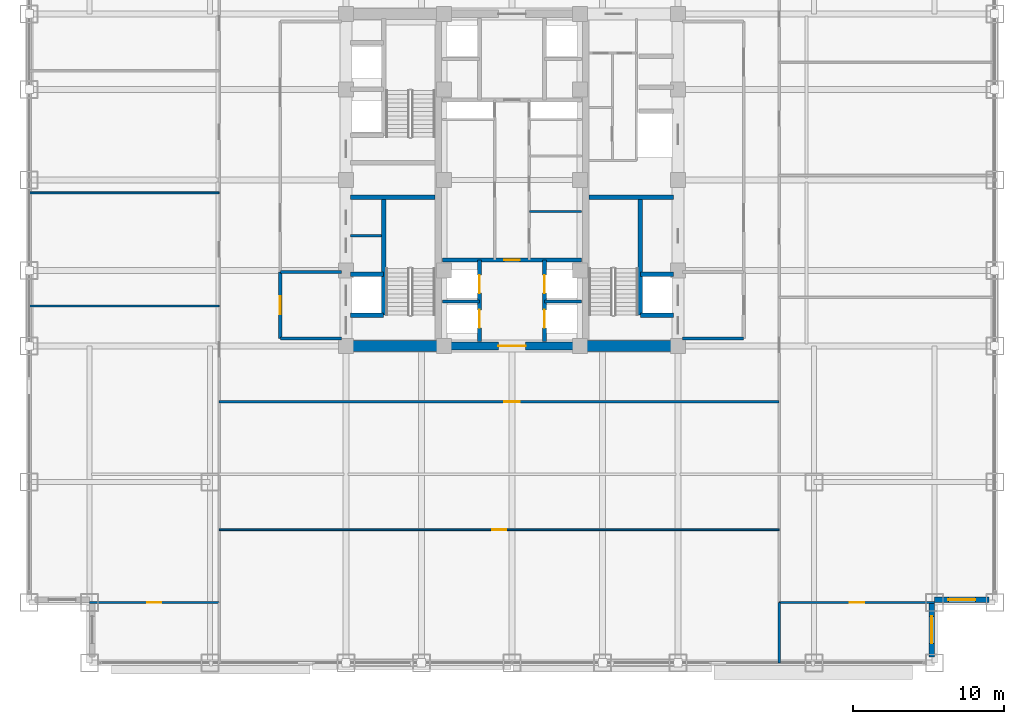
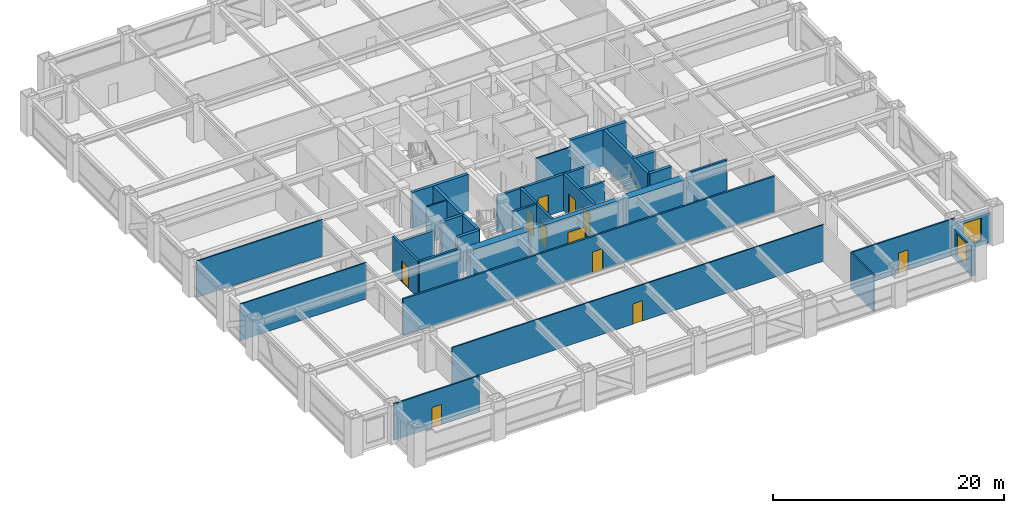
# One storey, part 23 of 32: 31 walls, 11 doors, 2 windows, 13 openings.
"""IFC4 building model written with IfcOpenShell, lengths in metres."""

import ifcopenshell
import ifcopenshell.guid

model = None  # the IFC model being written
_history = None  # IfcOwnerHistory: only IFC2X3 demands one
_inside = {}  # id of a spatial element -> (the spatial element, [elements in it])
_under = {}  # id of a project, library or spatial element -> (it, [spatial elements below it])
_declared = {}  # id of a project -> (the project, [libraries it declares])
_typed = {}  # id of a type object -> (the type object, [elements of that type])
_made_of = {}  # id of a material, layer set ... -> (it, [elements and type objects made of it])


def new_model(schema):
    """Start an empty IFC model of exactly this schema.

    Asked for "IFC4X3", IfcOpenShell would pick the latest addendum, in which some entities
    have other attributes; the version numbers below select the first issue.
    IFC2X3 requires an IfcOwnerHistory on every rooted entity: one is made here for all.
    """
    global model, _history
    if schema == "IFC4X3":
        model = ifcopenshell.file(schema_version=(4, 3, 0, 0))
    else:
        model = ifcopenshell.file(schema=schema)
    _inside.clear()
    _under.clear()
    _declared.clear()
    _typed.clear()
    _made_of.clear()
    _history = None
    if model.schema == "IFC2X3":
        org = make("IfcOrganization", Name="unknown")
        user = make(
            "IfcPersonAndOrganization",
            ThePerson=make("IfcPerson", FamilyName="unknown"),
            TheOrganization=org,
        )
        app = make(
            "IfcApplication",
            ApplicationDeveloper=org,
            Version="unknown",
            ApplicationFullName="unknown",
            ApplicationIdentifier="unknown",
        )
        _history = make(
            "IfcOwnerHistory",
            OwningUser=user,
            OwningApplication=app,
            ChangeAction="ADDED",
            CreationDate=0,
        )
    return model


def make(cls, **values):
    """One entity of the class cls with the attributes given. An attribute that is None is left unset."""
    return model.create_entity(
        cls, **{name: value for name, value in values.items() if value is not None}
    )


def rooted(cls, **values):
    """An entity with a GlobalId (a new one), such as an element, a storey or a relation."""
    return make(cls, GlobalId=ifcopenshell.guid.new(), OwnerHistory=_history, **values)


def si_unit(unit_type, name, prefix=None):
    """IfcSIUnit, for example si_unit("LENGTHUNIT", "METRE", prefix="MILLI")."""
    return make("IfcSIUnit", UnitType=unit_type, Prefix=prefix, Name=name)


def assignment(units):
    """IfcUnitAssignment: the units of a project."""
    return None if units is None else make("IfcUnitAssignment", Units=units)


def point(xyz):
    """IfcCartesianPoint."""
    return None if xyz is None else make("IfcCartesianPoint", Coordinates=xyz)


def direction(xyz):
    """IfcDirection."""
    return None if xyz is None else make("IfcDirection", DirectionRatios=xyz)


def frame(location, z_axis=None, x_axis=None):
    """IfcAxis2Placement3D, a coordinate frame: its origin and axes. An axis left out is left unset."""
    return make(
        "IfcAxis2Placement3D",
        Location=point(location),
        Axis=direction(z_axis),
        RefDirection=direction(x_axis),
    )


def frame_2d(location, x_axis=None):
    """IfcAxis2Placement2D, a coordinate frame in the plane: its origin and x axis."""
    return make(
        "IfcAxis2Placement2D", Location=point(location), RefDirection=direction(x_axis)
    )


def origin():
    """The frame at (0, 0, 0) with its axes left unset."""
    return frame((0.0, 0.0, 0.0))


def place(relative_to, where):
    """IfcLocalPlacement: puts the frame where relative to a parent placement (None: the world)."""
    return make(
        "IfcLocalPlacement", PlacementRelTo=relative_to, RelativePlacement=where
    )


def context(
    kind, dimensions, precision=None, world=None, true_north=None, identifier=None
):
    """IfcGeometricRepresentationContext, for example the 3D "Model" context."""
    return make(
        "IfcGeometricRepresentationContext",
        ContextIdentifier=identifier,
        ContextType=kind,
        CoordinateSpaceDimension=dimensions,
        Precision=precision,
        WorldCoordinateSystem=world,
        TrueNorth=true_north,
    )


def subcontext(parent, identifier, kind, view, scale=None):
    """IfcGeometricRepresentationSubContext, for example "Body" below "Model"."""
    return make(
        "IfcGeometricRepresentationSubContext",
        ContextIdentifier=identifier,
        ContextType=kind,
        ParentContext=parent,
        TargetScale=scale,
        TargetView=view,
    )


def project(units=None, contexts=None):
    """IfcProject with its units and contexts."""
    return rooted(
        "IfcProject",
        Name="project",
        RepresentationContexts=contexts,
        UnitsInContext=assignment(units),
    )


def spatial(cls, under=None, at=None, **own):
    """A site, building, storey or space (cls), placed at a placement, below another one or the project."""
    s = rooted(cls, ObjectPlacement=at, **own)
    if under is not None:
        _under.setdefault(under.id(), (under, []))[1].append(s)
    return s


def profile(cls, at=None, kind="AREA", **sizes):
    """A parametric profile (cls). Its sizes go by their IFC names, for example OverallWidth=200.0."""
    return make(cls, ProfileType=kind, Position=at, **sizes)


def rectangle(**sizes):
    """IfcRectangleProfileDef."""
    return profile("IfcRectangleProfileDef", **sizes)


def extrude(swept, where, along, depth):
    """IfcExtrudedAreaSolid: the profile swept, set in the frame where, extruded along a direction by depth."""
    return make(
        "IfcExtrudedAreaSolid",
        SweptArea=swept,
        Position=where,
        ExtrudedDirection=direction(along),
        Depth=depth,
    )


def shape(context_of_items, identifier, shape_type, items):
    """IfcShapeRepresentation: the items that make up one representation, for example the "Body"."""
    return make(
        "IfcShapeRepresentation",
        ContextOfItems=context_of_items,
        RepresentationIdentifier=identifier,
        RepresentationType=shape_type,
        Items=items,
    )


def source(mapping_origin, context_of_items, identifier, shape_type, items):
    """IfcRepresentationMap: a shape defined once, which mapped items show again and again."""
    return make(
        "IfcRepresentationMap",
        MappingOrigin=mapping_origin,
        MappedRepresentation=shape(context_of_items, identifier, shape_type, items),
    )


def transform(
    local_origin,
    x_axis=None,
    y_axis=None,
    z_axis=None,
    scale=None,
    scale2=None,
    scale3=None,
    uniform=True,
):
    """IfcCartesianTransformationOperator3D, or its non-uniform kind. x_axis, y_axis, z_axis: its Axis1, 2, 3."""
    if uniform:
        return make(
            "IfcCartesianTransformationOperator3D",
            Axis1=direction(x_axis),
            Axis2=direction(y_axis),
            LocalOrigin=point(local_origin),
            Scale=scale,
            Axis3=direction(z_axis),
        )
    return make(
        "IfcCartesianTransformationOperator3DnonUniform",
        Axis1=direction(x_axis),
        Axis2=direction(y_axis),
        LocalOrigin=point(local_origin),
        Scale=scale,
        Axis3=direction(z_axis),
        Scale2=scale2,
        Scale3=scale3,
    )


def mapped(mapping_source, mapping_target):
    """IfcMappedItem: shows the shape of a source again, moved by a transform."""
    return make(
        "IfcMappedItem", MappingSource=mapping_source, MappingTarget=mapping_target
    )


def material(Name=None, Category=None):
    """IfcMaterial."""
    return make("IfcMaterial", Name=Name, Category=Category)


def layer(
    of_material, thickness, ventilated=None, Name=None, Category=None, Priority=None
):
    """IfcMaterialLayer: one layer of a wall or slab, of a material (None: an air gap)."""
    return make(
        "IfcMaterialLayer",
        Material=of_material,
        LayerThickness=thickness,
        IsVentilated=ventilated,
        Name=Name,
        Category=Category,
        Priority=Priority,
    )


def layer_set(layers, Name=None):
    """IfcMaterialLayerSet."""
    return make("IfcMaterialLayerSet", MaterialLayers=layers, LayerSetName=Name)


def made_of(thing, what):
    """Note that an element or type object is made of a material, layer set ...; save() writes the relation."""
    if what is not None:
        _made_of.setdefault(what.id(), (what, []))[1].append(thing)
    return thing


def type_object(cls, material=None, **own):
    """A type object (cls), such as IfcWallType, which elements share."""
    return made_of(rooted(cls, **own), material)


def element(
    cls,
    number,
    at=None,
    inside=None,
    cuts=None,
    type_object=None,
    material=None,
    context=None,
    identifier="Body",
    shape_type=None,
    held_by="IfcProductDefinitionShape",
    body=None,
    shapes=None,
    **own,
):
    """One element of the class cls, such as IfcWall. Its Tag is "e" and its number.

    at: its placement. inside: the storey or other place that contains it. cuts: it is an
    opening in that element (IfcRelVoidsElement). A single representation is given by context,
    identifier, shape_type and body (its items); several are given by shapes. held_by: the class
    of the entity that holds the representations. save() writes the other relations.
    """
    e = rooted(cls, Tag="e%d" % number, ObjectPlacement=at, **own)
    if body is not None:
        shapes = [shape(context, identifier, shape_type, body)]
    if shapes is not None:
        e.Representation = make(held_by, Representations=shapes)
    if inside is not None:
        _inside.setdefault(inside.id(), (inside, []))[1].append(e)
    if cuts is not None:
        rooted(
            "IfcRelVoidsElement", RelatingBuildingElement=cuts, RelatedOpeningElement=e
        )
    if type_object is not None:
        _typed.setdefault(type_object.id(), (type_object, []))[1].append(e)
    return made_of(e, material)


def fill(opening, filler):
    """IfcRelFillsElement: the door or window that sits in an opening."""
    return rooted(
        "IfcRelFillsElement",
        RelatingOpeningElement=opening,
        RelatedBuildingElement=filler,
    )


def aggregate(whole, parts):
    """IfcRelAggregates: a whole, such as a stair, and the parts it consists of."""
    return rooted("IfcRelAggregates", RelatingObject=whole, RelatedObjects=parts)


def save(model, path):
    """Write the relations noted so far, then the file.

    IfcRelAggregates (storeys below a building ...), IfcRelContainedInSpatialStructure (elements
    in a storey), IfcRelDefinesByType, IfcRelAssociatesMaterial and IfcRelDeclares: one each for
    every whole, place, type object, material and project.
    """
    for whole, parts in _under.values():
        aggregate(whole, parts)
    for where, things in _inside.values():
        rooted(
            "IfcRelContainedInSpatialStructure",
            RelatedElements=things,
            RelatingStructure=where,
        )
    for kind, things in _typed.values():
        rooted("IfcRelDefinesByType", RelatedObjects=things, RelatingType=kind)
    for what, things in _made_of.values():
        rooted("IfcRelAssociatesMaterial", RelatedObjects=things, RelatingMaterial=what)
    for by, libraries in _declared.values():
        rooted("IfcRelDeclares", RelatingContext=by, RelatedDefinitions=libraries)
    model.write(path)


model = new_model("IFC4")

# Units and contexts
model_context = context("Model", 3, precision=1e-05, world=origin(), true_north=direction((0.0, 1.0)))
body_context = subcontext(model_context, "Body", "Model", "MODEL_VIEW")
ifc_project = project(units=[si_unit("LENGTHUNIT", "METRE"), si_unit("AREAUNIT", "SQUARE_METRE"), si_unit("VOLUMEUNIT", "CUBIC_METRE"), si_unit("PLANEANGLEUNIT", "RADIAN"), si_unit("MASSUNIT", "GRAM", prefix="KILO")], contexts=[model_context])

# Site, building, storey
site_placement = place(None, origin())
site = spatial("IfcSite", under=ifc_project, at=site_placement, CompositionType="ELEMENT")
building_placement = place(site_placement, origin())
building = spatial("IfcBuilding", under=site, at=building_placement, Name="Khorayat Bourse Tower", CompositionType="ELEMENT")
storey_placement = place(building_placement, frame((0.0, 0.0, 91.39990234375)))
storey = spatial("IfcBuildingStorey", under=building, at=storey_placement, Name="L20", CompositionType="ELEMENT", Elevation=91.39990234375)

# Walls
ifc_material_1 = material(Name="Concrete C72/90", Category="concrete")
ifc_layer_1 = layer(ifc_material_1, 0.75)
ifc_layer_set_1 = layer_set([ifc_layer_1], Name="Concrete C72/90")
wall_type_1 = type_object("IfcWallType", Name="WAL-CORE-750", PredefinedType="SHEAR", material=ifc_layer_set_1)
shared_shape_1 = source(origin(), body_context, "Body", "SweptSolid", [
    extrude(rectangle(XDim=5.849853515625, YDim=0.75, at=frame_2d((2.9248046875, 0.0))), origin(), (0.0, 0.0, 1.0), 3.840087890625),
])
for number, where, z_axis, x_axis, name in (
    (1, (-10.699951171875, -11.0, 0.0), (0.0, 0.0, 1.0), (1.0, 0.0, 0.0), "L20 Core Shear Wall PIER-WS"),
    (2, (4.85009765625, -11.0, 0.0), (0.0, 0.0, 1.0), (1.0, 0.0, 0.0), "L20 Core Shear Wall PIER-ES"),
):
    element("IfcWall", number, at=place(storey_placement, frame(where, z_axis=z_axis, x_axis=x_axis)), inside=storey, type_object=wall_type_1, Name=name, PredefinedType="SHEAR", context=body_context, shape_type="MappedRepresentation", body=[
        mapped(shared_shape_1, transform((0.0, 0.0, 0.0), scale=1.0)),
    ])
ifc_material_2 = material(Name="Concrete C50/60", Category="concrete")
ifc_layer_2 = layer(ifc_material_2, 0.300048828125)
ifc_layer_set_2 = layer_set([ifc_layer_2], Name="Concrete C50/60")
wall_type_2 = type_object("IfcWallType", Name="WAL-SHAFT-300", PredefinedType="SHEAR", material=ifc_layer_set_2)
shared_shape_2 = source(origin(), body_context, "Body", "SweptSolid", [
    extrude(rectangle(XDim=5.599853515625, YDim=0.300048828125, at=frame_2d((2.7998046875, 0.0))), origin(), (0.0, 0.0, 1.0), 3.840087890625),
])
for number, where, z_axis, x_axis, name in (
    (3, (-10.699951171875, -1.14990234375, 0.0), (0.0, 0.0, 1.0), (1.0, 0.0, 0.0), "L20 Core Shear Wall ST1-DIV"),
    (4, (5.10009765625, -1.14990234375, 0.0), (0.0, 0.0, 1.0), (1.0, 0.0, 0.0), "L20 Core Shear Wall ST3-DIV"),
):
    element("IfcWall", number, at=place(storey_placement, frame(where, z_axis=z_axis, x_axis=x_axis)), inside=storey, type_object=wall_type_2, Name=name, PredefinedType="SHEAR", context=body_context, shape_type="MappedRepresentation", body=[
        mapped(shared_shape_2, transform((0.0, 0.0, 0.0), scale=1.0)),
    ])

# Wall, opening, door
ifc_material_3 = material(Name="Concrete C52/65", Category="concrete")
ifc_layer_3 = layer(ifc_material_3, 0.5)
ifc_layer_set_3 = layer_set([ifc_layer_3], Name="Concrete C52/65")
wall_type_3 = type_object("IfcWallType", Name="WAL-CORE-500", PredefinedType="SHEAR", material=ifc_layer_set_3)
shared_shape_3 = source(origin(), body_context, "Body", "SweptSolid", [
    extrude(rectangle(XDim=9.2001953125, YDim=0.5, at=frame_2d((4.60009765625, 0.0))), origin(), (0.0, 0.0, 1.0), 3.840087890625),
])
wall_1_placement = place(storey_placement, frame((-4.60009765625, -11.0, 0.0), z_axis=(0.0, 0.0, 1.0), x_axis=(1.0, 0.0, 0.0)))
wall_1 = element("IfcWall", 5, at=wall_1_placement, inside=storey, type_object=wall_type_3, Name="L20 Core Shear Wall CORE-S", PredefinedType="SHEAR", context=body_context, shape_type="MappedRepresentation", body=[
    mapped(shared_shape_3, transform((0.0, 0.0, 0.0), scale=1.0)),
])
shared_shape_4 = source(origin(), body_context, "Body", "SweptSolid", [
    extrude(rectangle(XDim=1.800048828125, YDim=2.25, at=frame_2d((0.89990234375, 1.125))), frame((0.0, 0.260009765625, 0.0), z_axis=(0.0, -1.0, 0.0), x_axis=(1.0, 0.0, 0.0)), (0.0, 0.0, 1.0), 0.52001953125),
])
opening_1_placement = place(wall_1_placement, frame((3.699951171875, 0.0, 0.0)))
opening_1 = element("IfcOpeningElement", 6, at=opening_1_placement, cuts=wall_1, Name="Opening DI-03", PredefinedType="OPENING", context=body_context, shape_type="MappedRepresentation", body=[
    mapped(shared_shape_4, transform((0.0, 0.0, 0.0), scale=1.0)),
])
ifc_material_4 = material(Name="Fire-rated hardwood vision-panel double leaf", Category="wood")
door_type_1 = type_object("IfcDoorType", Name="DR-INT-CORR-1800", OperationType="NOTDEFINED", PredefinedType="DOOR", material=ifc_material_4)
shared_shape_5 = source(origin(), body_context, "Body", "SweptSolid", [
    extrude(rectangle(XDim=1.800048828125, YDim=2.25, at=frame_2d((0.89990234375, 1.125))), frame((0.0, 0.02490234375, 0.0), z_axis=(0.0, -1.0, 0.0), x_axis=(1.0, 0.0, 0.0)), (0.0, 0.0, 1.0), 0.050048828125),
])
door_1_placement = place(opening_1_placement, origin())
door_1 = element("IfcDoor", 7, at=door_1_placement, inside=storey, type_object=door_type_1, Name="L20 Low-Rise Lift Lobby Door", OperationType="SINGLE_SWING_LEFT", OverallHeight=2.25, OverallWidth=1.800048828125, PredefinedType="DOOR", context=body_context, shape_type="MappedRepresentation", body=[
    mapped(shared_shape_5, transform((0.0, 0.0, 0.0), scale=1.0)),
])
fill(opening_1, door_1)

# Wall, opening, window
ifc_material_5 = material(Name="Precast concrete C45/55", Category="concrete")
ifc_layer_4 = layer(ifc_material_5, 0.3798828125)
ifc_layer_set_4 = layer_set([ifc_layer_4], Name="Precast concrete C45/55")
wall_type_4 = type_object("IfcWallType", Name="WAL-EXT-STONE-380", PredefinedType="STANDARD", material=ifc_layer_set_4)
shared_shape_6 = source(origin(), body_context, "Body", "SweptSolid", [
    extrude(rectangle(XDim=3.6201171875, YDim=0.3798828125, at=frame_2d((1.81005859375, 0.0))), origin(), (0.0, 0.0, 1.0), 3.14501953125),
])
wall_2_placement = place(storey_placement, frame((27.81005859375, -31.6201171875, 0.0), z_axis=(0.0, 0.0, 1.0), x_axis=(0.0, 1.0, 0.0)))
wall_2 = element("IfcWall", 8, at=wall_2_placement, inside=storey, type_object=wall_type_4, Name="L20 Re-Entrant Notch Limestone Wall SE-V", PredefinedType="STANDARD", context=body_context, shape_type="MappedRepresentation", body=[
    mapped(shared_shape_6, transform((0.0, 0.0, 0.0), scale=1.0)),
])
shared_shape_7 = source(origin(), body_context, "Body", "SweptSolid", [
    extrude(rectangle(XDim=1.800048828125, YDim=2.39990234375, at=frame_2d((0.89990234375, 1.199951171875))), frame((0.0, 0.199951171875, 0.0), z_axis=(0.0, -1.0, 0.0), x_axis=(1.0, 0.0, 0.0)), (0.0, 0.0, 1.0), 0.39990234375),
])
opening_2_placement = place(wall_2_placement, frame((0.909912109375, 0.0, 0.5)))
opening_2 = element("IfcOpeningElement", 9, at=opening_2_placement, cuts=wall_2, Name="Opening WN-04", PredefinedType="OPENING", context=body_context, shape_type="MappedRepresentation", body=[
    mapped(shared_shape_7, transform((0.0, 0.0, 0.0), scale=1.0)),
])
ifc_material_6 = material(Name="Low-E acoustic laminated double glazing", Category="glass")
window_type = type_object("IfcWindowType", Name="WIN-NOTCH-1800x2400", PartitioningType="SINGLE_PANEL", PredefinedType="WINDOW", material=ifc_material_6)
shared_shape_8 = source(origin(), body_context, "Body", "SweptSolid", [
    extrude(rectangle(XDim=1.800048828125, YDim=2.39990234375, at=frame_2d((0.89990234375, 1.199951171875))), frame((0.0, 0.030029296875, 0.0), z_axis=(0.0, -1.0, 0.0), x_axis=(1.0, 0.0, 0.0)), (0.0, 0.0, 1.0), 0.06005859375),
])
window_1_placement = place(opening_2_placement, origin())
window_1 = element("IfcWindow", 10, at=window_1_placement, inside=storey, type_object=window_type, Name="L20 Facade Window 1", OverallHeight=2.39990234375, OverallWidth=1.800048828125, PartitioningType="SINGLE_PANEL", PredefinedType="WINDOW", context=body_context, shape_type="MappedRepresentation", body=[
    mapped(shared_shape_8, transform((0.0, 0.0, 0.0), scale=1.0)),
])
fill(opening_2, window_1)

wall_3_placement = place(storey_placement, frame((28.0, -27.81005859375, 0.0), z_axis=(0.0, 0.0, 1.0), x_axis=(1.0, 0.0, 0.0)))
wall_3 = element("IfcWall", 11, at=wall_3_placement, inside=storey, type_object=wall_type_4, Name="L20 Re-Entrant Notch Limestone Wall SE-H", PredefinedType="STANDARD", context=body_context, shape_type="MappedRepresentation", body=[
    mapped(shared_shape_6, transform((0.0, 0.0, 0.0), scale=1.0)),
])
opening_3_placement = place(wall_3_placement, frame((0.909912109375, 0.0, 0.5)))
opening_3 = element("IfcOpeningElement", 12, at=opening_3_placement, cuts=wall_3, Name="Opening WN-04", PredefinedType="OPENING", context=body_context, shape_type="MappedRepresentation", body=[
    mapped(shared_shape_7, transform((0.0, 0.0, 0.0), scale=1.0)),
])
window_2_placement = place(opening_3_placement, origin())
window_2 = element("IfcWindow", 13, at=window_2_placement, inside=storey, type_object=window_type, Name="L20 Facade Window 1", OverallHeight=2.39990234375, OverallWidth=1.800048828125, PartitioningType="SINGLE_PANEL", PredefinedType="WINDOW", context=body_context, shape_type="MappedRepresentation", body=[
    mapped(shared_shape_8, transform((0.0, 0.0, 0.0), scale=1.0)),
])
fill(opening_3, window_2)

# Walls
shared_shape_9 = source(origin(), body_context, "Body", "SweptSolid", [
    extrude(rectangle(XDim=7.800048828125, YDim=0.300048828125, at=frame_2d((3.89990234375, 0.0))), origin(), (0.0, 0.0, 1.0), 3.840087890625),
])
for number, where, z_axis, x_axis, name in (
    (14, (-8.5, -8.949951171875, 0.0), (0.0, 0.0, 1.0), (0.0, 1.0, 0.0), "L20 Partition WAL-L20-WPIER-SP"),
    (15, (8.5, -8.949951171875, 0.0), (0.0, 0.0, 1.0), (0.0, 1.0, 0.0), "L20 Partition WAL-L20-EPIER-SP"),
):
    element("IfcWall", number, at=place(storey_placement, frame(where, z_axis=z_axis, x_axis=x_axis)), inside=storey, type_object=wall_type_2, Name=name, PredefinedType="SHEAR", context=body_context, shape_type="MappedRepresentation", body=[
        mapped(shared_shape_9, transform((0.0, 0.0, 0.0), scale=1.0)),
    ])
shared_shape_10 = source(origin(), body_context, "Body", "SweptSolid", [
    extrude(rectangle(XDim=2.199951171875, YDim=0.300048828125, at=frame_2d((1.10009765625, 0.0))), origin(), (0.0, 0.0, 1.0), 3.840087890625),
])
for number, where, z_axis, x_axis, name in (
    (16, (-10.699951171875, -8.949951171875, 0.0), (0.0, 0.0, 1.0), (1.0, 0.0, 0.0), "L20 Partition WAL-L20-WPIER-FF1S"),
    (17, (-10.699951171875, -6.25, 0.0), (0.0, 0.0, 1.0), (1.0, 0.0, 0.0), "L20 Partition WAL-L20-WPIER-FF1N"),
    (18, (8.5, -8.949951171875, 0.0), (0.0, 0.0, 1.0), (1.0, 0.0, 0.0), "L20 Partition WAL-L20-EPIER-FF2S"),
    (19, (8.5, -6.25, 0.0), (0.0, 0.0, 1.0), (1.0, 0.0, 0.0), "L20 Partition WAL-L20-EPIER-FF2N"),
):
    element("IfcWall", number, at=place(storey_placement, frame(where, z_axis=z_axis, x_axis=x_axis)), inside=storey, type_object=wall_type_2, Name=name, PredefinedType="SHEAR", context=body_context, shape_type="MappedRepresentation", body=[
        mapped(shared_shape_10, transform((0.0, 0.0, 0.0), scale=1.0)),
    ])
ifc_material_7 = material(Name="Gypsum plasterboard twin-frame partition")
ifc_layer_5 = layer(ifc_material_7, 0.14990234375)
ifc_layer_set_5 = layer_set([ifc_layer_5], Name="Gypsum plasterboard twin-frame partition")
wall_type_5 = type_object("IfcWallType", Name="WAL-PART-SUITE-150", PredefinedType="PARTITIONING", material=ifc_layer_set_5)
shared_shape_11 = source(origin(), body_context, "Body", "SweptSolid", [
    extrude(rectangle(XDim=2.050048828125, YDim=0.14990234375, at=frame_2d((1.02490234375, 0.0))), origin(), (0.0, 0.0, 1.0), 3.840087890625),
])
wall_4_placement = place(storey_placement, frame((-10.699951171875, -3.699951171875, 0.0), z_axis=(0.0, 0.0, 1.0), x_axis=(1.0, 0.0, 0.0)))
element("IfcWall", 20, at=wall_4_placement, inside=storey, type_object=wall_type_5, Name="L20 Partition WAL-L20-WSRV-D1", PredefinedType="PARTITIONING", context=body_context, shape_type="MappedRepresentation", body=[
    mapped(shared_shape_11, transform((0.0, 0.0, 0.0), scale=1.0)),
])
ifc_material_8 = material(Name="Aerated concrete blockwork", Category="masonry")
ifc_layer_6 = layer(ifc_material_8, 0.219970703125)
ifc_layer_set_6 = layer_set([ifc_layer_6], Name="Aerated concrete blockwork")
wall_type_6 = type_object("IfcWallType", Name="WAL-PART-FF-220", PredefinedType="PARTITIONING", material=ifc_layer_set_6)
shared_shape_12 = source(origin(), body_context, "Body", "SweptSolid", [
    extrude(rectangle(XDim=4.050048828125, YDim=0.219970703125, at=frame_2d((2.02490234375, 0.0))), origin(), (0.0, 0.0, 1.0), 3.840087890625),
])
for number, where, z_axis, x_axis, name in (
    (21, (-15.35009765625, -10.5, 0.0), (0.0, 0.0, 1.0), (1.0, 0.0, 0.0), "L20 Partition WAL-L20-FFLW-S"),
    (22, (11.300048828125, -10.5, 0.0), (0.0, 0.0, 1.0), (1.0, 0.0, 0.0), "L20 Partition WAL-L20-FFLE-S"),
):
    element("IfcWall", number, at=place(storey_placement, frame(where, z_axis=z_axis, x_axis=x_axis)), inside=storey, type_object=wall_type_6, Name=name, PredefinedType="PARTITIONING", context=body_context, shape_type="MappedRepresentation", body=[
        mapped(shared_shape_12, transform((0.0, 0.0, 0.0), scale=1.0)),
    ])
shared_shape_13 = source(origin(), body_context, "Body", "SweptSolid", [
    extrude(rectangle(XDim=4.050048828125, YDim=0.219970703125, at=frame_2d((2.02490234375, 0.0))), origin(), (0.0, 0.0, 1.0), 3.067138671875),
])
wall_5_placement = place(storey_placement, frame((-15.35009765625, -6.10009765625, 0.0), z_axis=(0.0, 0.0, 1.0), x_axis=(1.0, 0.0, 0.0)))
element("IfcWall", 23, at=wall_5_placement, inside=storey, type_object=wall_type_6, Name="L20 Partition WAL-L20-FFLW-N", PredefinedType="PARTITIONING", context=body_context, shape_type="MappedRepresentation", body=[
    mapped(shared_shape_13, transform((0.0, 0.0, 0.0), scale=1.0)),
])

# Wall, opening, door
shared_shape_14 = source(origin(), body_context, "Body", "SweptSolid", [
    extrude(rectangle(XDim=4.39990234375, YDim=0.219970703125, at=frame_2d((2.199951171875, 0.0))), origin(), (0.0, 0.0, 1.0), 3.840087890625),
])
wall_6_placement = place(storey_placement, frame((-15.35009765625, -10.5, 0.0), z_axis=(0.0, 0.0, 1.0), x_axis=(0.0, 1.0, 0.0)))
wall_6 = element("IfcWall", 24, at=wall_6_placement, inside=storey, type_object=wall_type_6, Name="L20 Partition WAL-L20-FFLW-W", PredefinedType="PARTITIONING", context=body_context, shape_type="MappedRepresentation", body=[
    mapped(shared_shape_14, transform((0.0, 0.0, 0.0), scale=1.0)),
])
shared_shape_15 = source(origin(), body_context, "Body", "SweptSolid", [
    extrude(rectangle(XDim=1.199951171875, YDim=2.199951171875, at=frame_2d((0.60009765625, 1.10009765625))), frame((0.0, 0.119873046875, 0.0), z_axis=(0.0, -1.0, 0.0), x_axis=(1.0, 0.0, 0.0)), (0.0, 0.0, 1.0), 0.239990234375),
])
opening_4_placement = place(wall_6_placement, frame((1.60009765625, 0.0, 0.0)))
opening_4 = element("IfcOpeningElement", 25, at=opening_4_placement, cuts=wall_6, Name="Opening DI-02", PredefinedType="OPENING", context=body_context, shape_type="MappedRepresentation", body=[
    mapped(shared_shape_15, transform((0.0, 0.0, 0.0), scale=1.0)),
])
ifc_material_9 = material(Name="Fire-rated steel double-seal leaf", Category="steel")
door_type_2 = type_object("IfcDoorType", Name="DR-INT-FFLOBBY-1200", OperationType="NOTDEFINED", PredefinedType="DOOR", material=ifc_material_9)
shared_shape_16 = source(origin(), body_context, "Body", "SweptSolid", [
    extrude(rectangle(XDim=1.199951171875, YDim=2.199951171875, at=frame_2d((0.60009765625, 1.10009765625))), frame((0.0, 0.02490234375, 0.0), z_axis=(0.0, -1.0, 0.0), x_axis=(1.0, 0.0, 0.0)), (0.0, 0.0, 1.0), 0.050048828125),
])
door_2_placement = place(opening_4_placement, origin())
door_2 = element("IfcDoor", 26, at=door_2_placement, inside=storey, type_object=door_type_2, Name="L20 West Firefighting Lobby Door", OperationType="SINGLE_SWING_LEFT", OverallHeight=2.199951171875, OverallWidth=1.199951171875, PredefinedType="DOOR", context=body_context, shape_type="MappedRepresentation", body=[
    mapped(shared_shape_16, transform((0.0, 0.0, 0.0), scale=1.0)),
])
fill(opening_4, door_2)

# Wall, openings, doors
shared_shape_17 = source(origin(), body_context, "Body", "SweptSolid", [
    extrude(rectangle(XDim=5.39990234375, YDim=0.25, at=frame_2d((2.699951171875, 0.0))), origin(), (0.0, 0.0, 1.0), 3.840087890625),
])
wall_7_placement = place(storey_placement, frame((-2.14990234375, -10.699951171875, 0.0), z_axis=(0.0, 0.0, 1.0), x_axis=(0.0, 1.0, 0.0)))
wall_7 = element("IfcWall", 27, at=wall_7_placement, inside=storey, type_object=wall_type_2, Name="L20 Partition WAL-L20-B1-W", PredefinedType="SHEAR", context=body_context, shape_type="MappedRepresentation", body=[
    mapped(shared_shape_17, transform((0.0, 0.0, 0.0), scale=1.0)),
])
shared_shape_18 = source(origin(), body_context, "Body", "SweptSolid", [
    extrude(rectangle(XDim=1.199951171875, YDim=2.300048828125, at=frame_2d((0.60009765625, 1.14990234375))), frame((0.0, 0.135009765625, 0.0), z_axis=(0.0, -1.0, 0.0), x_axis=(1.0, 0.0, 0.0)), (0.0, 0.0, 1.0), 0.27001953125),
])
opening_5_placement = place(wall_7_placement, frame((0.89990234375, 0.0, 0.0)))
opening_5 = element("IfcOpeningElement", 28, at=opening_5_placement, cuts=wall_7, Name="Opening LD-01", PredefinedType="OPENING", context=body_context, shape_type="MappedRepresentation", body=[
    mapped(shared_shape_18, transform((0.0, 0.0, 0.0), scale=1.0)),
])
opening_6_placement = place(wall_7_placement, frame((3.199951171875, 0.0, 0.0)))
opening_6 = element("IfcOpeningElement", 29, at=opening_6_placement, cuts=wall_7, Name="Opening LD-01", PredefinedType="OPENING", context=body_context, shape_type="MappedRepresentation", body=[
    mapped(shared_shape_18, transform((0.0, 0.0, 0.0), scale=1.0)),
])
ifc_material_10 = material(Name="Brushed bronze stainless-steel sliding door", Category="steel")
door_type_3 = type_object("IfcDoorType", Name="DR-LIFT-PASS-1200", OperationType="NOTDEFINED", PredefinedType="DOOR", material=ifc_material_10)
shared_shape_19 = source(origin(), body_context, "Body", "SweptSolid", [
    extrude(rectangle(XDim=1.199951171875, YDim=2.300048828125, at=frame_2d((0.60009765625, 1.14990234375))), frame((0.0, 0.02490234375, 0.0), z_axis=(0.0, -1.0, 0.0), x_axis=(1.0, 0.0, 0.0)), (0.0, 0.0, 1.0), 0.050048828125),
])
door_3_placement = place(opening_5_placement, origin())
door_3 = element("IfcDoor", 30, at=door_3_placement, inside=storey, type_object=door_type_3, Name="L20 Lift PL-L1 Sliding Landing Door", OperationType="SLIDING_TO_LEFT", OverallHeight=2.300048828125, OverallWidth=1.199951171875, PredefinedType="DOOR", context=body_context, shape_type="MappedRepresentation", body=[
    mapped(shared_shape_19, transform((0.0, 0.0, 0.0), scale=1.0)),
])
fill(opening_5, door_3)
door_4_placement = place(opening_6_placement, origin())
door_4 = element("IfcDoor", 31, at=door_4_placement, inside=storey, type_object=door_type_3, Name="L20 Lift PL-L3 Sliding Landing Door", OperationType="SLIDING_TO_LEFT", OverallHeight=2.300048828125, OverallWidth=1.199951171875, PredefinedType="DOOR", context=body_context, shape_type="MappedRepresentation", body=[
    mapped(shared_shape_19, transform((0.0, 0.0, 0.0), scale=1.0)),
])
fill(opening_6, door_4)

wall_8_placement = place(storey_placement, frame((2.14990234375, -10.699951171875, 0.0), z_axis=(0.0, 0.0, 1.0), x_axis=(0.0, 1.0, 0.0)))
wall_8 = element("IfcWall", 32, at=wall_8_placement, inside=storey, type_object=wall_type_2, Name="L20 Partition WAL-L20-B1-E", PredefinedType="SHEAR", context=body_context, shape_type="MappedRepresentation", body=[
    mapped(shared_shape_17, transform((0.0, 0.0, 0.0), scale=1.0)),
])
opening_7_placement = place(wall_8_placement, frame((0.89990234375, 0.0, 0.0)))
opening_7 = element("IfcOpeningElement", 33, at=opening_7_placement, cuts=wall_8, Name="Opening LD-01", PredefinedType="OPENING", context=body_context, shape_type="MappedRepresentation", body=[
    mapped(shared_shape_18, transform((0.0, 0.0, 0.0), scale=1.0)),
])
opening_8_placement = place(wall_8_placement, frame((3.199951171875, 0.0, 0.0)))
opening_8 = element("IfcOpeningElement", 34, at=opening_8_placement, cuts=wall_8, Name="Opening LD-01", PredefinedType="OPENING", context=body_context, shape_type="MappedRepresentation", body=[
    mapped(shared_shape_18, transform((0.0, 0.0, 0.0), scale=1.0)),
])
door_5_placement = place(opening_7_placement, origin())
door_5 = element("IfcDoor", 35, at=door_5_placement, inside=storey, type_object=door_type_3, Name="L20 Lift PL-L2 Sliding Landing Door", OperationType="SLIDING_TO_LEFT", OverallHeight=2.300048828125, OverallWidth=1.199951171875, PredefinedType="DOOR", context=body_context, shape_type="MappedRepresentation", body=[
    mapped(shared_shape_19, transform((0.0, 0.0, 0.0), scale=1.0)),
])
fill(opening_7, door_5)
door_6_placement = place(opening_8_placement, origin())
door_6 = element("IfcDoor", 36, at=door_6_placement, inside=storey, type_object=door_type_3, Name="L20 Lift PL-L4 Sliding Landing Door", OperationType="SLIDING_TO_LEFT", OverallHeight=2.300048828125, OverallWidth=1.199951171875, PredefinedType="DOOR", context=body_context, shape_type="MappedRepresentation", body=[
    mapped(shared_shape_19, transform((0.0, 0.0, 0.0), scale=1.0)),
])
fill(opening_8, door_6)

# Walls
shared_shape_20 = source(origin(), body_context, "Body", "SweptSolid", [
    extrude(rectangle(XDim=2.4501953125, YDim=0.199951171875, at=frame_2d((1.22509765625, 0.0))), origin(), (0.0, 0.0, 1.0), 3.840087890625),
])
for number, where, z_axis, x_axis, name in (
    (37, (-4.60009765625, -8.050048828125, 0.0), (0.0, 0.0, 1.0), (1.0, 0.0, 0.0), "L20 Partition WAL-L20-B1-MW"),
    (38, (2.14990234375, -8.050048828125, 0.0), (0.0, 0.0, 1.0), (1.0, 0.0, 0.0), "L20 Partition WAL-L20-B1-ME"),
):
    element("IfcWall", number, at=place(storey_placement, frame(where, z_axis=z_axis, x_axis=x_axis)), inside=storey, type_object=wall_type_2, Name=name, PredefinedType="SHEAR", context=body_context, shape_type="MappedRepresentation", body=[
        mapped(shared_shape_20, transform((0.0, 0.0, 0.0), scale=1.0)),
    ])

# Wall, opening, door
shared_shape_21 = source(origin(), body_context, "Body", "SweptSolid", [
    extrude(rectangle(XDim=9.2001953125, YDim=0.25, at=frame_2d((4.60009765625, 0.0))), origin(), (0.0, 0.0, 1.0), 3.840087890625),
])
wall_9_placement = place(storey_placement, frame((-4.60009765625, -5.300048828125, 0.0), z_axis=(0.0, 0.0, 1.0), x_axis=(1.0, 0.0, 0.0)))
wall_9 = element("IfcWall", 39, at=wall_9_placement, inside=storey, type_object=wall_type_2, Name="L20 Partition WAL-L20-B1-N", PredefinedType="SHEAR", context=body_context, shape_type="MappedRepresentation", body=[
    mapped(shared_shape_21, transform((0.0, 0.0, 0.0), scale=1.0)),
])
shared_shape_22 = source(origin(), body_context, "Body", "SweptSolid", [
    extrude(rectangle(XDim=1.050048828125, YDim=2.199951171875, at=frame_2d((0.52490234375, 1.10009765625))), frame((0.0, 0.135009765625, 0.0), z_axis=(0.0, -1.0, 0.0), x_axis=(1.0, 0.0, 0.0)), (0.0, 0.0, 1.0), 0.27001953125),
])
opening_9_placement = place(wall_9_placement, frame((4.074951171875, 0.0, 0.0)))
opening_9 = element("IfcOpeningElement", 40, at=opening_9_placement, cuts=wall_9, Name="Opening DI-04", PredefinedType="OPENING", context=body_context, shape_type="MappedRepresentation", body=[
    mapped(shared_shape_22, transform((0.0, 0.0, 0.0), scale=1.0)),
])
ifc_material_11 = material(Name="Fire-rated oak veneer suite entrance door")
door_type_4 = type_object("IfcDoorType", Name="DR-INT-SUITE-1050", OperationType="NOTDEFINED", PredefinedType="DOOR", material=ifc_material_11)
shared_shape_23 = source(origin(), body_context, "Body", "SweptSolid", [
    extrude(rectangle(XDim=1.050048828125, YDim=2.199951171875, at=frame_2d((0.52490234375, 1.10009765625))), frame((0.0, 0.02490234375, 0.0), z_axis=(0.0, -1.0, 0.0), x_axis=(1.0, 0.0, 0.0)), (0.0, 0.0, 1.0), 0.050048828125),
])
door_7_placement = place(opening_9_placement, origin())
door_7 = element("IfcDoor", 41, at=door_7_placement, inside=storey, type_object=door_type_4, Name="L20 Core Spine South Door", OperationType="SINGLE_SWING_LEFT", OverallHeight=2.199951171875, OverallWidth=1.050048828125, PredefinedType="DOOR", context=body_context, shape_type="MappedRepresentation", body=[
    mapped(shared_shape_23, transform((0.0, 0.0, 0.0), scale=1.0)),
])
fill(opening_9, door_7)

# Wall
ifc_material_12 = material(Name="Moisture-resistant masonry partition", Category="masonry")
ifc_layer_7 = layer(ifc_material_12, 0.139892578125)
ifc_layer_set_7 = layer_set([ifc_layer_7], Name="Moisture-resistant masonry partition")
wall_type_7 = type_object("IfcWallType", Name="WAL-PART-WET-140", PredefinedType="PARTITIONING", material=ifc_layer_set_7)
shared_shape_24 = source(origin(), body_context, "Body", "SweptSolid", [
    extrude(rectangle(XDim=3.4501953125, YDim=0.139892578125, at=frame_2d((1.72509765625, 0.0))), origin(), (0.0, 0.0, 1.0), 3.840087890625),
])
wall_10_placement = place(storey_placement, frame((1.14990234375, -2.10009765625, 0.0), z_axis=(0.0, 0.0, 1.0), x_axis=(1.0, 0.0, 0.0)))
element("IfcWall", 42, at=wall_10_placement, inside=storey, type_object=wall_type_7, Name="L20 Partition WAL-L20-CME-D1", PredefinedType="PARTITIONING", context=body_context, shape_type="MappedRepresentation", body=[
    mapped(shared_shape_24, transform((0.0, 0.0, 0.0), scale=1.0)),
])

# Wall, opening, door
ifc_material_13 = material(Name="Gypsum plasterboard partition")
ifc_layer_8 = layer(ifc_material_13, 0.125)
ifc_layer_set_8 = layer_set([ifc_layer_8], Name="Gypsum plasterboard partition")
wall_type_8 = type_object("IfcWallType", Name="WAL-PART-ROOM-125", PredefinedType="PARTITIONING", material=ifc_layer_set_8)
shared_shape_25 = source(origin(), body_context, "Body", "SweptSolid", [
    extrude(rectangle(XDim=37.099853515625, YDim=0.125, at=frame_2d((18.5498046875, 0.0))), origin(), (0.0, 0.0, 1.0), 3.840087890625),
])
wall_11_placement = place(storey_placement, frame((-19.39990234375, -23.177001953125, 0.0), z_axis=(0.0, 0.0, 1.0), x_axis=(1.0, 0.0, 0.0)))
wall_11 = element("IfcWall", 43, at=wall_11_placement, inside=storey, type_object=wall_type_8, Name="L20 Partition WAL-L20-SDP-1", PredefinedType="PARTITIONING", context=body_context, shape_type="MappedRepresentation", body=[
    mapped(shared_shape_25, transform((0.0, 0.0, 0.0), scale=1.0)),
])
shared_shape_26 = source(origin(), body_context, "Body", "SweptSolid", [
    extrude(rectangle(XDim=0.949951171875, YDim=2.14990234375, at=frame_2d((0.47509765625, 1.074951171875))), frame((0.0, 0.072509765625, 0.0), z_axis=(0.0, -1.0, 0.0), x_axis=(1.0, 0.0, 0.0)), (0.0, 0.0, 1.0), 0.14501953125),
])
opening_10_placement = place(wall_11_placement, frame((18.074951171875, 0.0, 0.0)))
opening_10 = element("IfcOpeningElement", 44, at=opening_10_placement, cuts=wall_11, Name="Opening DI-05", PredefinedType="OPENING", context=body_context, shape_type="MappedRepresentation", body=[
    mapped(shared_shape_26, transform((0.0, 0.0, 0.0), scale=1.0)),
])
ifc_material_14 = material(Name="Acoustic oak veneer office door")
door_type_5 = type_object("IfcDoorType", Name="DR-INT-OFFICE-950", OperationType="NOTDEFINED", PredefinedType="DOOR", material=ifc_material_14)
shared_shape_27 = source(origin(), body_context, "Body", "SweptSolid", [
    extrude(rectangle(XDim=0.949951171875, YDim=2.14990234375, at=frame_2d((0.47509765625, 1.074951171875))), frame((0.0, 0.02490234375, 0.0), z_axis=(0.0, -1.0, 0.0), x_axis=(1.0, 0.0, 0.0)), (0.0, 0.0, 1.0), 0.050048828125),
])
door_8_placement = place(opening_10_placement, origin())
door_8 = element("IfcDoor", 45, at=door_8_placement, inside=storey, type_object=door_type_5, Name="L20 Members Club Room S1B Door", OperationType="SINGLE_SWING_RIGHT", OverallHeight=2.14990234375, OverallWidth=0.949951171875, PredefinedType="DOOR", context=body_context, shape_type="MappedRepresentation", body=[
    mapped(shared_shape_27, transform((0.0, 0.0, 0.0), scale=1.0)),
])
fill(opening_10, door_8)

ifc_material_15 = material(Name="Gypsum plasterboard acoustic stud wall")
ifc_layer_9 = layer(ifc_material_15, 0.179931640625)
ifc_layer_set_9 = layer_set([ifc_layer_9], Name="Gypsum plasterboard acoustic stud wall")
wall_type_9 = type_object("IfcWallType", Name="WAL-PART-CORR-180", PredefinedType="PARTITIONING", material=ifc_layer_set_9)
shared_shape_28 = source(origin(), body_context, "Body", "SweptSolid", [
    extrude(rectangle(XDim=37.099853515625, YDim=0.179931640625, at=frame_2d((18.5498046875, 0.0))), origin(), (0.0, 0.0, 1.0), 3.840087890625),
])
wall_12_placement = place(storey_placement, frame((-19.39990234375, -14.699951171875, 0.0), z_axis=(0.0, 0.0, 1.0), x_axis=(1.0, 0.0, 0.0)))
wall_12 = element("IfcWall", 46, at=wall_12_placement, inside=storey, type_object=wall_type_9, Name="L20 Partition WAL-L20-SCORR", PredefinedType="PARTITIONING", context=body_context, shape_type="MappedRepresentation", body=[
    mapped(shared_shape_28, transform((0.0, 0.0, 0.0), scale=1.0)),
])
shared_shape_29 = source(origin(), body_context, "Body", "SweptSolid", [
    extrude(rectangle(XDim=1.050048828125, YDim=2.199951171875, at=frame_2d((0.52490234375, 1.10009765625))), frame((0.0, 0.099853515625, 0.0), z_axis=(0.0, -1.0, 0.0), x_axis=(1.0, 0.0, 0.0)), (0.0, 0.0, 1.0), 0.199951171875),
])
opening_11_placement = place(wall_12_placement, frame((18.875, 0.0, 0.0)))
opening_11 = element("IfcOpeningElement", 47, at=opening_11_placement, cuts=wall_12, Name="Opening DI-04", PredefinedType="OPENING", context=body_context, shape_type="MappedRepresentation", body=[
    mapped(shared_shape_29, transform((0.0, 0.0, 0.0), scale=1.0)),
])
door_9_placement = place(opening_11_placement, origin())
door_9 = element("IfcDoor", 48, at=door_9_placement, inside=storey, type_object=door_type_4, Name="L20 Market Reference Library S1 Door", OperationType="SINGLE_SWING_RIGHT", OverallHeight=2.199951171875, OverallWidth=1.050048828125, PredefinedType="DOOR", context=body_context, shape_type="MappedRepresentation", body=[
    mapped(shared_shape_23, transform((0.0, 0.0, 0.0), scale=1.0)),
])
fill(opening_11, door_9)

# Walls
shared_shape_30 = source(origin(), body_context, "Body", "SweptSolid", [
    extrude(rectangle(XDim=4.0, YDim=0.14990234375, at=frame_2d((2.0, 0.0))), origin(), (0.0, 0.0, 1.0), 3.840087890625),
])
wall_13_placement = place(storey_placement, frame((17.699951171875, -32.0, 0.0), z_axis=(0.0, 0.0, 1.0), x_axis=(0.0, 1.0, 0.0)))
element("IfcWall", 49, at=wall_13_placement, inside=storey, type_object=wall_type_5, Name="L20 Partition WAL-L20-SCE-END", PredefinedType="PARTITIONING", context=body_context, shape_type="MappedRepresentation", body=[
    mapped(shared_shape_30, transform((0.0, 0.0, 0.0), scale=1.0)),
])
shared_shape_31 = source(origin(), body_context, "Body", "SweptSolid", [
    extrude(rectangle(XDim=12.60009765625, YDim=0.125, at=frame_2d((6.300048828125, 0.0))), origin(), (0.0, 0.0, 1.0), 3.840087890625),
])
for number, where, z_axis, x_axis, name in (
    (50, (-32.0, -8.35302734375, 0.0), (0.0, 0.0, 1.0), (1.0, 0.0, 0.0), "L20 Partition WAL-L20-WDV-1"),
    (51, (-32.0, -0.85205078125, 0.0), (0.0, 0.0, 1.0), (1.0, 0.0, 0.0), "L20 Partition WAL-L20-WDV-2"),
):
    element("IfcWall", number, at=place(storey_placement, frame(where, z_axis=z_axis, x_axis=x_axis)), inside=storey, type_object=wall_type_8, Name=name, PredefinedType="PARTITIONING", context=body_context, shape_type="MappedRepresentation", body=[
        mapped(shared_shape_31, transform((0.0, 0.0, 0.0), scale=1.0)),
    ])

# Wall, opening, door
shared_shape_32 = source(origin(), body_context, "Body", "SweptSolid", [
    extrude(rectangle(XDim=8.60009765625, YDim=0.14990234375, at=frame_2d((4.300048828125, 0.0))), origin(), (0.0, 0.0, 1.0), 3.840087890625),
])
wall_14_placement = place(storey_placement, frame((-28.0, -28.0, 0.0), z_axis=(0.0, 0.0, 1.0), x_axis=(1.0, 0.0, 0.0)))
wall_14 = element("IfcWall", 52, at=wall_14_placement, inside=storey, type_object=wall_type_5, Name="L20 Partition WAL-L20-CSW", PredefinedType="PARTITIONING", context=body_context, shape_type="MappedRepresentation", body=[
    mapped(shared_shape_32, transform((0.0, 0.0, 0.0), scale=1.0)),
])
shared_shape_33 = source(origin(), body_context, "Body", "SweptSolid", [
    extrude(rectangle(XDim=0.949951171875, YDim=2.14990234375, at=frame_2d((0.47509765625, 1.074951171875))), frame((0.0, 0.0849609375, 0.0), z_axis=(0.0, -1.0, 0.0), x_axis=(1.0, 0.0, 0.0)), (0.0, 0.0, 1.0), 0.169921875),
])
opening_12_placement = place(wall_14_placement, frame((3.824951171875, 0.0, 0.0)))
opening_12 = element("IfcOpeningElement", 53, at=opening_12_placement, cuts=wall_14, Name="Opening DI-05", PredefinedType="OPENING", context=body_context, shape_type="MappedRepresentation", body=[
    mapped(shared_shape_33, transform((0.0, 0.0, 0.0), scale=1.0)),
])
door_10_placement = place(opening_12_placement, origin())
door_10 = element("IfcDoor", 54, at=door_10_placement, inside=storey, type_object=door_type_5, Name="L20 South-West Corner Office Door", OperationType="SINGLE_SWING_LEFT", OverallHeight=2.14990234375, OverallWidth=0.949951171875, PredefinedType="DOOR", context=body_context, shape_type="MappedRepresentation", body=[
    mapped(shared_shape_27, transform((0.0, 0.0, 0.0), scale=1.0)),
])
fill(opening_12, door_10)

shared_shape_34 = source(origin(), body_context, "Body", "SweptSolid", [
    extrude(rectangle(XDim=10.300048828125, YDim=0.14990234375, at=frame_2d((5.14990234375, 0.0))), origin(), (0.0, 0.0, 1.0), 3.840087890625),
])
wall_15_placement = place(storey_placement, frame((17.699951171875, -28.0, 0.0), z_axis=(0.0, 0.0, 1.0), x_axis=(1.0, 0.0, 0.0)))
wall_15 = element("IfcWall", 55, at=wall_15_placement, inside=storey, type_object=wall_type_5, Name="L20 Partition WAL-L20-CSE", PredefinedType="PARTITIONING", context=body_context, shape_type="MappedRepresentation", body=[
    mapped(shared_shape_34, transform((0.0, 0.0, 0.0), scale=1.0)),
])
opening_13_placement = place(wall_15_placement, frame((4.675048828125, 0.0, 0.0)))
opening_13 = element("IfcOpeningElement", 56, at=opening_13_placement, cuts=wall_15, Name="Opening DI-05", PredefinedType="OPENING", context=body_context, shape_type="MappedRepresentation", body=[
    mapped(shared_shape_33, transform((0.0, 0.0, 0.0), scale=1.0)),
])
door_11_placement = place(opening_13_placement, origin())
door_11 = element("IfcDoor", 57, at=door_11_placement, inside=storey, type_object=door_type_5, Name="L20 South-East Corner Briefing Room Door", OperationType="SINGLE_SWING_LEFT", OverallHeight=2.14990234375, OverallWidth=0.949951171875, PredefinedType="DOOR", context=body_context, shape_type="MappedRepresentation", body=[
    mapped(shared_shape_27, transform((0.0, 0.0, 0.0), scale=1.0)),
])
fill(opening_13, door_11)

save(model, "model.ifc")
